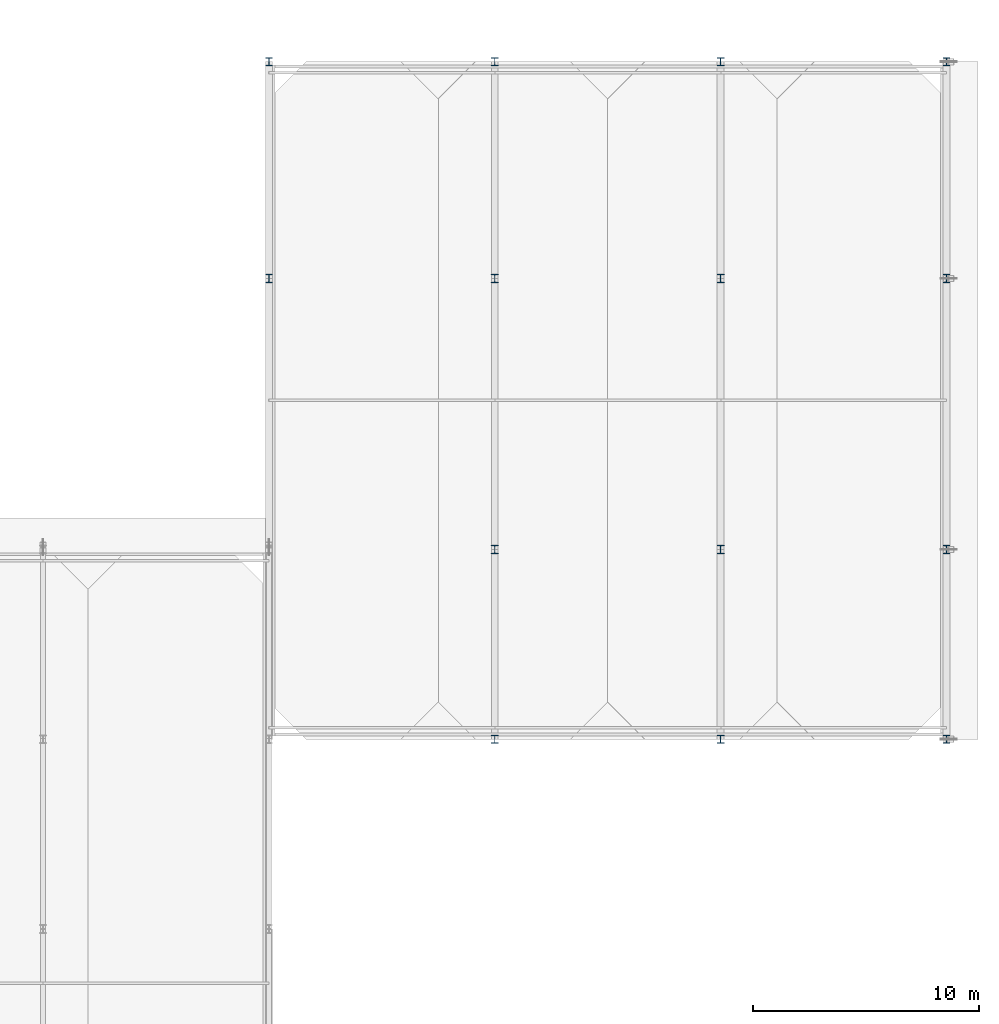
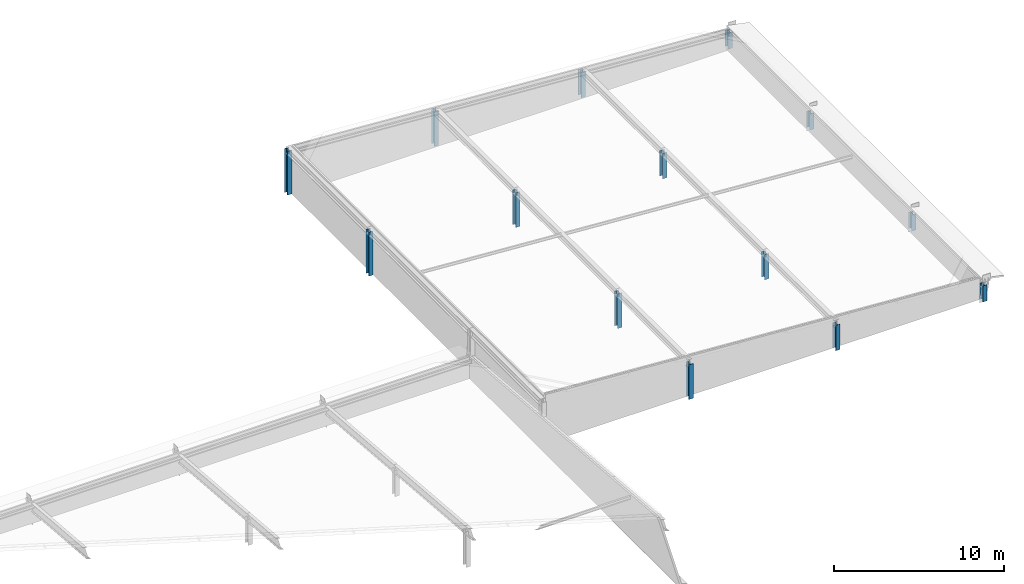
# One storey, part 17 of 79: 14 columns.
"""IFC4 building model written with IfcOpenShell, lengths in metres."""

from ifc_helpers import new_model, si_unit, direction, frame, origin, origin_2d, place, context, subcontext, project, spatial, i_section, extrude, material, material_profile, profile_set, type_object, element, save


model = new_model("IFC4")

# Units and contexts
model_context = context("Model", 3, precision=1e-05, world=origin(), true_north=direction((0.0, 1.0)))
body_context = subcontext(model_context, "Body", "Model", "MODEL_VIEW")
ifc_project = project(units=[si_unit("LENGTHUNIT", "METRE"), si_unit("AREAUNIT", "SQUARE_METRE"), si_unit("VOLUMEUNIT", "CUBIC_METRE"), si_unit("PLANEANGLEUNIT", "RADIAN"), si_unit("MASSUNIT", "GRAM", prefix="KILO")], contexts=[model_context])

# Site, building, storey
site_placement = place(None, origin())
site = spatial("IfcSite", under=ifc_project, at=site_placement, CompositionType="ELEMENT")
building_placement = place(site_placement, origin())
building = spatial("IfcBuilding", under=site, at=building_placement, Name="Zereglee Splitstone Museum", CompositionType="ELEMENT")
storey_placement = place(building_placement, frame((0.0, 0.0, 9.0)))
storey = spatial("IfcBuildingStorey", under=building, at=storey_placement, Name="L02", CompositionType="ELEMENT", Elevation=9.0)

# Columns
ifc_material = material(Name="Steel S355J2", Category="steel")
ifc_material_profile = material_profile(ifc_material, i_section(OverallWidth=0.300048828125, OverallDepth=0.360107421875, WebThickness=0.012451171875, FlangeThickness=0.0224609375, FilletRadius=0.027099609375, at=origin_2d()), Name="HE 360 B")
ifc_profile_set = profile_set([ifc_material_profile], Name="Steel S355J2")
column_type = type_object("IfcColumnType", Name="C-16", PredefinedType="COLUMN", material=ifc_profile_set)
for number, where, z_axis, x_axis, name in (
    (1, (296.0, 50.39990234375, 0.0), (0.0, 0.0, 1.0), (1.0, 0.0, 0.0), "Roof Support Column RF-V6 (296.0,50.4)"),
    (2, (296.0, 60.0, 0.0), (0.0, 0.0, 1.0), (1.0, 0.0, 0.0), "Roof Support Column RF-V6 (296.0,60.0)"),
):
    element("IfcColumn", number, at=place(storey_placement, frame(where, z_axis=z_axis, x_axis=x_axis)), inside=storey, type_object=column_type, Name=name, PredefinedType="COLUMN", context=body_context, shape_type="SweptSolid", body=[
        extrude(i_section(OverallWidth=0.300048828125, OverallDepth=0.360107421875, WebThickness=0.012451171875, FlangeThickness=0.0224609375, FilletRadius=0.027099609375, at=origin_2d()), origin(), (0.0, 0.0, 1.0), 3.158935546875),
    ])
for number, where, z_axis, x_axis, name in (
    (3, (306.0, 30.0, 0.0), (0.0, 0.0, 1.0), (1.0, 0.0, 0.0), "Roof Support Column RF-V6 (306.0,30.0)"),
    (4, (306.0, 38.39990234375, 0.0), (0.0, 0.0, 1.0), (1.0, 0.0, 0.0), "Roof Support Column RF-V6 (306.0,38.4)"),
    (5, (306.0, 50.39990234375, 0.0), (0.0, 0.0, 1.0), (1.0, 0.0, 0.0), "Roof Support Column RF-V6 (306.0,50.4)"),
    (6, (306.0, 60.0, 0.0), (0.0, 0.0, 1.0), (1.0, 0.0, 0.0), "Roof Support Column RF-V6 (306.0,60.0)"),
):
    element("IfcColumn", number, at=place(storey_placement, frame(where, z_axis=z_axis, x_axis=x_axis)), inside=storey, type_object=column_type, Name=name, PredefinedType="COLUMN", context=body_context, shape_type="SweptSolid", body=[
        extrude(i_section(OverallWidth=0.300048828125, OverallDepth=0.360107421875, WebThickness=0.012451171875, FlangeThickness=0.0224609375, FilletRadius=0.027099609375, at=origin_2d()), origin(), (0.0, 0.0, 1.0), 2.492431640625),
    ])
for number, where, z_axis, x_axis, name in (
    (7, (316.0, 30.0, 0.0), (0.0, 0.0, 1.0), (1.0, 0.0, 0.0), "Roof Support Column RF-V6 (316.0,30.0)"),
    (8, (316.0, 38.39990234375, 0.0), (0.0, 0.0, 1.0), (1.0, 0.0, 0.0), "Roof Support Column RF-V6 (316.0,38.4)"),
    (9, (316.0, 50.39990234375, 0.0), (0.0, 0.0, 1.0), (1.0, 0.0, 0.0), "Roof Support Column RF-V6 (316.0,50.4)"),
    (10, (316.0, 60.0, 0.0), (0.0, 0.0, 1.0), (1.0, 0.0, 0.0), "Roof Support Column RF-V6 (316.0,60.0)"),
):
    element("IfcColumn", number, at=place(storey_placement, frame(where, z_axis=z_axis, x_axis=x_axis)), inside=storey, type_object=column_type, Name=name, PredefinedType="COLUMN", context=body_context, shape_type="SweptSolid", body=[
        extrude(i_section(OverallWidth=0.300048828125, OverallDepth=0.360107421875, WebThickness=0.012451171875, FlangeThickness=0.0224609375, FilletRadius=0.027099609375, at=origin_2d()), origin(), (0.0, 0.0, 1.0), 1.82568359375),
    ])
for number, where, z_axis, x_axis, name in (
    (11, (326.0, 30.0, 0.0), (0.0, 0.0, 1.0), (1.0, 0.0, 0.0), "Roof Support Column RF-V6 (326.0,30.0)"),
    (12, (326.0, 38.39990234375, 0.0), (0.0, 0.0, 1.0), (1.0, 0.0, 0.0), "Roof Support Column RF-V6 (326.0,38.4)"),
    (13, (326.0, 50.39990234375, 0.0), (0.0, 0.0, 1.0), (1.0, 0.0, 0.0), "Roof Support Column RF-V6 (326.0,50.4)"),
    (14, (326.0, 60.0, 0.0), (0.0, 0.0, 1.0), (1.0, 0.0, 0.0), "Roof Support Column RF-V6 (326.0,60.0)"),
):
    element("IfcColumn", number, at=place(storey_placement, frame(where, z_axis=z_axis, x_axis=x_axis)), inside=storey, type_object=column_type, Name=name, PredefinedType="COLUMN", context=body_context, shape_type="SweptSolid", body=[
        extrude(i_section(OverallWidth=0.300048828125, OverallDepth=0.360107421875, WebThickness=0.012451171875, FlangeThickness=0.0224609375, FilletRadius=0.027099609375, at=origin_2d()), origin(), (0.0, 0.0, 1.0), 1.158935546875),
    ])

save(model, "model.ifc")
